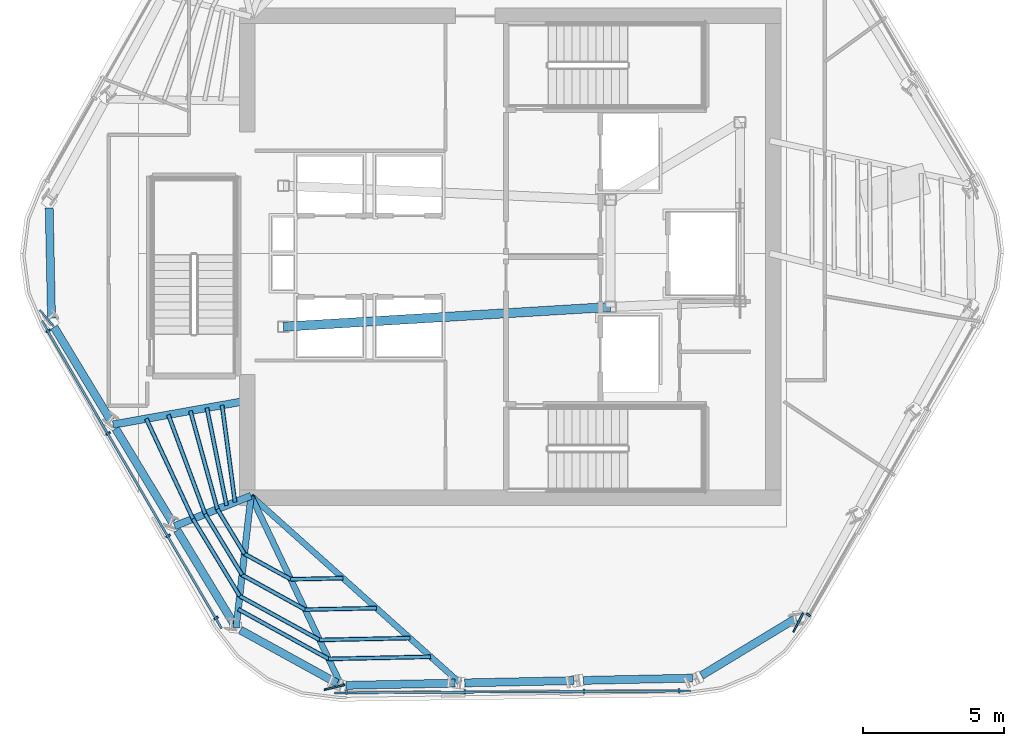
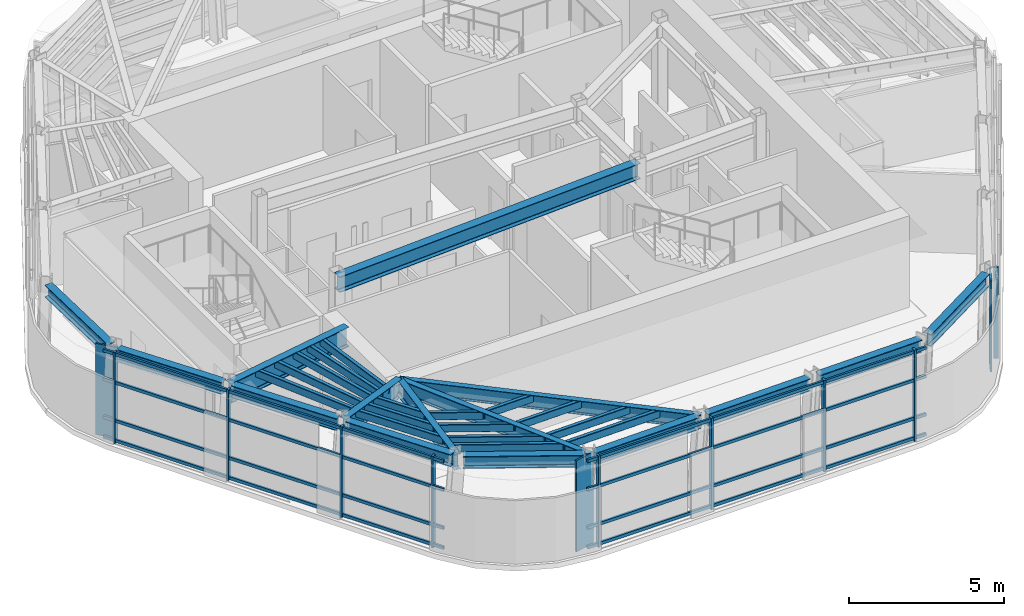
# One storey, part 2 of 13: 36 members, 15 beams, 3 elements without a shape of their own.
"""IFC4 building model written with IfcOpenShell, lengths in metres."""

from ifc_helpers import new_model, si_unit, direction, frame, origin, origin_2d, place, context, subcontext, project, spatial, rectangle, hollow_rectangle, i_section, extrude, material, layer, layer_set, material_profile, profile_set, type_object, element, aggregate, save


model = new_model("IFC4")

# Units and contexts
model_context = context("Model", 3, precision=1e-05, world=origin(), true_north=direction((0.0, 1.0)))
body_context = subcontext(model_context, "Body", "Model", "MODEL_VIEW")
ifc_project = project(units=[si_unit("LENGTHUNIT", "METRE"), si_unit("AREAUNIT", "SQUARE_METRE"), si_unit("VOLUMEUNIT", "CUBIC_METRE"), si_unit("PLANEANGLEUNIT", "RADIAN"), si_unit("MASSUNIT", "GRAM", prefix="KILO")], contexts=[model_context])

# Site, building, storey
site_placement = place(None, origin())
site = spatial("IfcSite", under=ifc_project, at=site_placement, CompositionType="ELEMENT")
building_placement = place(site_placement, origin())
building = spatial("IfcBuilding", under=site, at=building_placement, Name="Valkerne Bourse Tower", CompositionType="ELEMENT")
storey_placement = place(building_placement, frame((0.0, 0.0, 285.0)))
storey = spatial("IfcBuildingStorey", under=building, at=storey_placement, Name="L72", CompositionType="ELEMENT", Elevation=285.0)

# Beams
ifc_material_1 = material(Name="Steel ASTM A992", Category="steel")
ifc_material_profile_1 = material_profile(ifc_material_1, i_section(OverallWidth=0.284423828125, OverallDepth=0.47509765625, WebThickness=0.014892578125, FlangeThickness=0.02392578125, FilletRadius=0.017822265625, at=origin_2d()), Name="W18X106")
ifc_profile_set_1 = profile_set([ifc_material_profile_1], Name="Steel ASTM A992")
beam_type_1 = type_object("IfcBeamType", Name="BM-W18X106", PredefinedType="BEAM", material=ifc_profile_set_1)
beam_1_placement = place(storey_placement, frame((30.441162109375, 28.615478515625, 3.362548828125), z_axis=(0.020887241388, -0.999781837776, 0.0), x_axis=(0.999781837776, 0.020887241388, 0.0)))
element("IfcBeam", 1, at=beam_1_placement, inside=storey, type_object=beam_type_1, Name="L72 Hexagonal Spandrel Ring Beam 07", PredefinedType="BEAM", context=body_context, shape_type="SweptSolid", body=[
    extrude(i_section(OverallWidth=0.284423828125, OverallDepth=0.47509765625, WebThickness=0.014892578125, FlangeThickness=0.02392578125, FilletRadius=0.017822265625, at=origin_2d()), origin(), (0.0, 0.0, 1.0), 3.91552734375),
])
for number, where, z_axis, x_axis, name in (
    (2, (30.61474609375, 24.385498046875, 3.362548828125), (0.518033392364, -0.855360394451, 0.0), (0.855360394451, 0.518033392364, 0.0), "L72 Hexagonal Spandrel Ring Beam 08"),
    (3, (32.796630859375, 20.78271484375, 3.362548828125), (0.518033392364, -0.855360394451, 0.0), (0.855360394451, 0.518033392364, 0.0), "L72 Hexagonal Spandrel Ring Beam 09"),
):
    element("IfcBeam", number, at=place(storey_placement, frame(where, z_axis=z_axis, x_axis=x_axis)), inside=storey, type_object=beam_type_1, Name=name, PredefinedType="BEAM", context=body_context, shape_type="SweptSolid", body=[
        extrude(i_section(OverallWidth=0.284423828125, OverallDepth=0.47509765625, WebThickness=0.014892578125, FlangeThickness=0.02392578125, FilletRadius=0.017822265625, at=origin_2d()), origin(), (0.0, 0.0, 1.0), 3.8720703125),
    ])
beam_2_placement = place(storey_placement, frame((34.978515625, 17.1796875, 3.362548828125), z_axis=(0.518061332167, -0.855343472596, 0.0), x_axis=(0.855343472596, 0.518061332167, 0.0)))
element("IfcBeam", 4, at=beam_2_placement, inside=storey, type_object=beam_type_1, Name="L72 Hexagonal Spandrel Ring Beam 10", PredefinedType="BEAM", context=body_context, shape_type="SweptSolid", body=[
    extrude(i_section(OverallWidth=0.284423828125, OverallDepth=0.47509765625, WebThickness=0.014892578125, FlangeThickness=0.02392578125, FilletRadius=0.017822265625, at=origin_2d()), origin(), (0.0, 0.0, 1.0), 3.871826171875),
])
beam_3_placement = place(storey_placement, frame((37.221435546875, 13.640380859375, 3.362548828125), z_axis=(0.876313310328, -0.481741613462, 0.0), x_axis=(0.481741613462, 0.876313310328, 0.0)))
element("IfcBeam", 5, at=beam_3_placement, inside=storey, type_object=beam_type_1, Name="L72 Hexagonal Spandrel Ring Beam 11", PredefinedType="BEAM", context=body_context, shape_type="SweptSolid", body=[
    extrude(i_section(OverallWidth=0.284423828125, OverallDepth=0.47509765625, WebThickness=0.014892578125, FlangeThickness=0.02392578125, FilletRadius=0.017822265625, at=origin_2d()), origin(), (0.0, 0.0, 1.0), 3.91552734375),
])
beam_4_placement = place(storey_placement, frame((40.9716796875, 11.67578125, 3.362548828125), z_axis=(0.999780862792, 0.020933857622, 0.0), x_axis=(-0.020933857622, 0.999780862792, 0.0)))
element("IfcBeam", 6, at=beam_4_placement, inside=storey, type_object=beam_type_1, Name="L72 Hexagonal Spandrel Ring Beam 12", PredefinedType="BEAM", context=body_context, shape_type="SweptSolid", body=[
    extrude(i_section(OverallWidth=0.284423828125, OverallDepth=0.47509765625, WebThickness=0.014892578125, FlangeThickness=0.02392578125, FilletRadius=0.017822265625, at=origin_2d()), origin(), (0.0, 0.0, 1.0), 3.871826171875),
])
beam_5_placement = place(storey_placement, frame((45.182861328125, 11.76416015625, 3.362548828125), z_axis=(0.999780835158, 0.020935177374, 0.0), x_axis=(-0.020935177374, 0.999780835158, 0.0)))
element("IfcBeam", 7, at=beam_5_placement, inside=storey, type_object=beam_type_1, Name="L72 Hexagonal Spandrel Ring Beam 13", PredefinedType="BEAM", context=body_context, shape_type="SweptSolid", body=[
    extrude(i_section(OverallWidth=0.284423828125, OverallDepth=0.47509765625, WebThickness=0.014892578125, FlangeThickness=0.02392578125, FilletRadius=0.017822265625, at=origin_2d()), origin(), (0.0, 0.0, 1.0), 3.87158203125),
])
beam_6_placement = place(storey_placement, frame((49.393798828125, 11.852294921875, 3.362548828125), z_axis=(0.999780862792, 0.020933857622, 0.0), x_axis=(-0.020933857622, 0.999780862792, 0.0)))
element("IfcBeam", 8, at=beam_6_placement, inside=storey, type_object=beam_type_1, Name="L72 Hexagonal Spandrel Ring Beam 14", PredefinedType="BEAM", context=body_context, shape_type="SweptSolid", body=[
    extrude(i_section(OverallWidth=0.284423828125, OverallDepth=0.47509765625, WebThickness=0.014892578125, FlangeThickness=0.02392578125, FilletRadius=0.017822265625, at=origin_2d()), origin(), (0.0, 0.0, 1.0), 3.871826171875),
])
beam_7_placement = place(storey_placement, frame((53.580322265625, 12.02490234375, 3.362548828125), z_axis=(0.855378673822, 0.518003208842, 0.0), x_axis=(-0.518003208842, 0.855378673822, 0.0)))
element("IfcBeam", 9, at=beam_7_placement, inside=storey, type_object=beam_type_1, Name="L72 Hexagonal Spandrel Ring Beam 15", PredefinedType="BEAM", context=body_context, shape_type="SweptSolid", body=[
    extrude(i_section(OverallWidth=0.284423828125, OverallDepth=0.47509765625, WebThickness=0.014892578125, FlangeThickness=0.02392578125, FilletRadius=0.017822265625, at=origin_2d()), origin(), (0.0, 0.0, 1.0), 3.915771484375),
])
ifc_material_profile_2 = material_profile(ifc_material_1, i_section(OverallWidth=0.209228515625, OverallDepth=0.533447265625, WebThickness=0.01025390625, FlangeThickness=0.015625, FilletRadius=0.017822265625, at=origin_2d()), Name="W21X62")
ifc_profile_set_2 = profile_set([ifc_material_profile_2], Name="Steel ASTM A992")
beam_type_2 = type_object("IfcBeamType", Name="BM-W21X62", PredefinedType="JOIST", material=ifc_profile_set_2)
beam_8_placement = place(storey_placement, frame((45.0126953125, 11.760498046875, 3.333251953125), z_axis=(-0.744887661434, 0.66718990688, 0.0), x_axis=(-0.66718990688, -0.744887661434, 0.0)))
element("IfcBeam", 10, at=beam_8_placement, inside=storey, type_object=beam_type_2, Name="L72 Radial Composite Floor Beam 13", PredefinedType="JOIST", context=body_context, shape_type="SweptSolid", body=[
    extrude(i_section(OverallWidth=0.209228515625, OverallDepth=0.533447265625, WebThickness=0.01025390625, FlangeThickness=0.015625, FilletRadius=0.017822265625, at=origin_2d()), origin(), (0.0, 0.0, 1.0), 9.951416015625),
])
ifc_material_profile_3 = material_profile(ifc_material_1, i_section(OverallWidth=0.2138671875, OverallDepth=0.548583984375, WebThickness=0.0146484375, FlangeThickness=0.023681640625, FilletRadius=0.017822265625, at=origin_2d()), Name="W21X93")
ifc_profile_set_3 = profile_set([ifc_material_profile_3], Name="Steel ASTM A992")
beam_type_3 = type_object("IfcBeamType", Name="BM-W21X93", PredefinedType="BEAM", material=ifc_profile_set_3)
beam_9_placement = place(storey_placement, frame((40.8017578125, 11.67236328125, 3.32568359375), z_axis=(-0.429722422589, 0.902961039871, 0.0), x_axis=(-0.902961039871, -0.429722422589, 0.0)))
element("IfcBeam", 11, at=beam_9_placement, inside=storey, type_object=beam_type_3, Name="L72 Radial Composite Floor Beam 12", PredefinedType="BEAM", context=body_context, shape_type="SweptSolid", body=[
    extrude(i_section(OverallWidth=0.2138671875, OverallDepth=0.548583984375, WebThickness=0.0146484375, FlangeThickness=0.023681640625, FilletRadius=0.017822265625, at=origin_2d()), origin(), (0.0, 0.0, 1.0), 7.450439453125),
])
ifc_material_profile_4 = material_profile(ifc_material_1, i_section(OverallWidth=0.3251953125, OverallDepth=0.612060546875, WebThickness=0.0126953125, FlangeThickness=0.01904296875, FilletRadius=0.020263671875, at=origin_2d()), Name="W24X104")
ifc_profile_set_4 = profile_set([ifc_material_profile_4], Name="Steel ASTM A992")
beam_type_4 = type_object("IfcBeamType", Name="BM-W24X104", PredefinedType="BEAM", material=ifc_profile_set_4)
beam_10_placement = place(storey_placement, frame((38.75, 24.39990234375, 3.2939453125), z_axis=(0.998183228389, 0.060251494276, 0.0), x_axis=(-0.060251494276, 0.998183228389, 0.0)))
element("IfcBeam", 12, at=beam_10_placement, inside=storey, type_object=beam_type_4, Name="L72 Core Frame Girder CG-SW", PredefinedType="BEAM", context=body_context, shape_type="SweptSolid", body=[
    extrude(i_section(OverallWidth=0.3251953125, OverallDepth=0.612060546875, WebThickness=0.0126953125, FlangeThickness=0.01904296875, FilletRadius=0.020263671875, at=origin_2d()), origin(), (0.0, 0.0, 1.0), 11.62109375),
])
ifc_material_profile_5 = material_profile(ifc_material_1, i_section(OverallWidth=0.228271484375, OverallDepth=0.607177734375, WebThickness=0.01123046875, FlangeThickness=0.017333984375, FilletRadius=0.017822265625, at=origin_2d()), Name="W24X76")
ifc_profile_set_5 = profile_set([ifc_material_profile_5], Name="Steel ASTM A992")
beam_type_5 = type_object("IfcBeamType", Name="BM-W24X76", PredefinedType="JOIST", material=ifc_profile_set_5)
beam_11_placement = place(storey_placement, frame((37.072509765625, 13.722412109375, 3.29638671875), z_axis=(0.112082227644, 0.993698935416, 0.0), x_axis=(-0.993698935416, 0.112082227644, 0.0)))
element("IfcBeam", 13, at=beam_11_placement, inside=storey, type_object=beam_type_5, Name="L72 Radial Composite Floor Beam 11", PredefinedType="JOIST", context=body_context, shape_type="SweptSolid", body=[
    extrude(i_section(OverallWidth=0.228271484375, OverallDepth=0.607177734375, WebThickness=0.01123046875, FlangeThickness=0.017333984375, FilletRadius=0.017822265625, at=origin_2d()), origin(), (0.0, 0.0, 1.0), 4.70703125),
])
ifc_material_profile_6 = material_profile(ifc_material_1, i_section(OverallWidth=0.255859375, OverallDepth=0.693359375, WebThickness=0.014404296875, FlangeThickness=0.023681640625, FilletRadius=0.02294921875, at=origin_2d()), Name="W27X114")
ifc_profile_set_6 = profile_set([ifc_material_profile_6], Name="Steel ASTM A992")
beam_type_6 = type_object("IfcBeamType", Name="BM-W27X114", PredefinedType="BEAM", material=ifc_profile_set_6)
beam_12_placement = place(storey_placement, frame((34.890380859375, 17.3251953125, 3.25341796875), z_axis=(0.929558604553, 0.368674383029, 0.0), x_axis=(-0.368674383029, 0.929558604553, 0.0)))
element("IfcBeam", 14, at=beam_12_placement, inside=storey, type_object=beam_type_6, Name="L72 Radial Composite Floor Beam 10", PredefinedType="BEAM", context=body_context, shape_type="SweptSolid", body=[
    extrude(i_section(OverallWidth=0.255859375, OverallDepth=0.693359375, WebThickness=0.014404296875, FlangeThickness=0.023681640625, FilletRadius=0.02294921875, at=origin_2d()), origin(), (0.0, 0.0, 1.0), 2.9150390625),
])
ifc_material_profile_7 = material_profile(ifc_material_1, i_section(OverallWidth=0.26806640625, OverallDepth=0.76953125, WebThickness=0.015625, FlangeThickness=0.025390625, FilletRadius=0.025390625, at=origin_2d()), Name="W30X132")
ifc_profile_set_7 = profile_set([ifc_material_profile_7], Name="Steel ASTM A992")
beam_type_7 = type_object("IfcBeamType", Name="BM-W30X132", PredefinedType="BEAM", material=ifc_profile_set_7)
beam_13_placement = place(storey_placement, frame((32.70849609375, 20.927978515625, 3.215087890625), z_axis=(0.98447733952, 0.175511731721, 0.0), x_axis=(-0.175511731721, 0.98447733952, 0.0)))
element("IfcBeam", 15, at=beam_13_placement, inside=storey, type_object=beam_type_7, Name="L72 Radial Composite Floor Beam 09", PredefinedType="BEAM", context=body_context, shape_type="SweptSolid", body=[
    extrude(i_section(OverallWidth=0.26806640625, OverallDepth=0.76953125, WebThickness=0.015625, FlangeThickness=0.025390625, FilletRadius=0.025390625, at=origin_2d()), origin(), (0.0, 0.0, 1.0), 4.96875),
])

# Curtain wall, members
ifc_material_2 = material(Name="Aluminium AA 6063-T6", Category="aluminium")
ifc_layer = layer(ifc_material_2, 0.2451171875)
ifc_layer_set = layer_set([ifc_layer], Name="Aluminium AA 6063-T6")
curtain_wall_type = type_object("IfcCurtainWallType", Name="CW-05", PredefinedType="NOTDEFINED", material=ifc_layer_set)
curtain_wall_1_placement = place(storey_placement, origin())
curtain_wall_1 = element("IfcCurtainWall", 16, at=curtain_wall_1_placement, inside=storey, type_object=curtain_wall_type, Name="L72 Hexagonal Stick Curtain Wall Face 3", PredefinedType="NOTDEFINED")
ifc_material_profile_8 = material_profile(ifc_material_2, rectangle(XDim=0.074951171875, YDim=0.159912109375, at=origin_2d()), Name="CWM-75X160")
ifc_profile_set_8 = profile_set([ifc_material_profile_8], Name="Aluminium AA 6063-T6")
member_type_1 = type_object("IfcMemberType", Name="CW-MUL-160X75", PredefinedType="MULLION", material=ifc_profile_set_8)
member_1_placement = place(storey_placement, frame((30.408203125, 24.25244140625, 0.0), z_axis=(0.0, 0.0, 1.0), x_axis=(0.504517454009, -0.863401493281, 0.0)))
member_1 = element("IfcMember", 17, at=member_1_placement, type_object=member_type_1, Name="CW-L72-F3 Jamb Mullion 00A", PredefinedType="MULLION", context=body_context, shape_type="SweptSolid", body=[
    extrude(rectangle(XDim=0.074951171875, YDim=0.159912109375, at=origin_2d()), origin(), (0.0, 0.0, 1.0), 3.60009765625),
])
member_2_placement = place(storey_placement, frame((32.533203125, 20.615966796875, 0.0), z_axis=(0.0, 0.0, 1.0), x_axis=(0.504535152451, -0.863391151183, 0.0)))
member_2 = element("IfcMember", 18, at=member_2_placement, type_object=member_type_1, Name="CW-L72-F3 Jamb Mullion 01A", PredefinedType="MULLION", context=body_context, shape_type="SweptSolid", body=[
    extrude(rectangle(XDim=0.074951171875, YDim=0.159912109375, at=origin_2d()), origin(), (0.0, 0.0, 1.0), 3.60009765625),
])
member_3_placement = place(storey_placement, frame((34.658447265625, 16.979248046875, 0.0), z_axis=(0.0, 0.0, 1.0), x_axis=(0.504535152451, -0.863391151183, 0.0)))
member_3 = element("IfcMember", 19, at=member_3_placement, type_object=member_type_1, Name="CW-L72-F3 Jamb Mullion 02A", PredefinedType="MULLION", context=body_context, shape_type="SweptSolid", body=[
    extrude(rectangle(XDim=0.074951171875, YDim=0.159912109375, at=origin_2d()), origin(), (0.0, 0.0, 1.0), 3.60009765625),
])
member_4_placement = place(storey_placement, frame((36.359619140625, 14.068115234375, 0.0), z_axis=(0.0, 0.0, 1.0), x_axis=(0.504535152451, -0.863391151183, 0.0)))
member_4 = element("IfcMember", 20, at=member_4_placement, type_object=member_type_1, Name="CW-L72-F3 Jamb Mullion 02B", PredefinedType="MULLION", context=body_context, shape_type="SweptSolid", body=[
    extrude(rectangle(XDim=0.074951171875, YDim=0.159912109375, at=origin_2d()), origin(), (0.0, 0.0, 1.0), 3.60009765625),
])

curtain_wall_2_placement = place(storey_placement, origin())
curtain_wall_2 = element("IfcCurtainWall", 21, at=curtain_wall_2_placement, inside=storey, type_object=curtain_wall_type, Name="L72 Hexagonal Stick Curtain Wall Face 4", PredefinedType="NOTDEFINED")
member_5_placement = place(storey_placement, frame((40.9833984375, 11.4306640625, 0.0), z_axis=(0.0, 0.0, 1.0), x_axis=(0.999986358869, 0.005223224655, 0.0)))
member_5 = element("IfcMember", 22, at=member_5_placement, type_object=member_type_1, Name="CW-L72-F4 Jamb Mullion 00A", PredefinedType="MULLION", context=body_context, shape_type="SweptSolid", body=[
    extrude(rectangle(XDim=0.074951171875, YDim=0.159912109375, at=origin_2d()), origin(), (0.0, 0.0, 1.0), 3.60009765625),
])
member_6_placement = place(storey_placement, frame((45.1953125, 11.45263671875, 0.0), z_axis=(0.0, 0.0, 1.0), x_axis=(0.999986235233, 0.005246841359, 0.0)))
member_6 = element("IfcMember", 23, at=member_6_placement, type_object=member_type_1, Name="CW-L72-F4 Jamb Mullion 01A", PredefinedType="MULLION", context=body_context, shape_type="SweptSolid", body=[
    extrude(rectangle(XDim=0.074951171875, YDim=0.159912109375, at=origin_2d()), origin(), (0.0, 0.0, 1.0), 3.60009765625),
])
member_7_placement = place(storey_placement, frame((49.407470703125, 11.474609375, 0.0), z_axis=(0.0, 0.0, 1.0), x_axis=(0.999986358869, 0.005223224655, 0.0)))
member_7 = element("IfcMember", 24, at=member_7_placement, type_object=member_type_1, Name="CW-L72-F4 Jamb Mullion 02A", PredefinedType="MULLION", context=body_context, shape_type="SweptSolid", body=[
    extrude(rectangle(XDim=0.074951171875, YDim=0.159912109375, at=origin_2d()), origin(), (0.0, 0.0, 1.0), 3.60009765625),
])
member_8_placement = place(storey_placement, frame((52.779296875, 11.4921875, 0.0), z_axis=(0.0, 0.0, 1.0), x_axis=(0.999986358869, 0.005223224655, 0.0)))
member_8 = element("IfcMember", 25, at=member_8_placement, type_object=member_type_1, Name="CW-L72-F4 Jamb Mullion 02B", PredefinedType="MULLION", context=body_context, shape_type="SweptSolid", body=[
    extrude(rectangle(XDim=0.074951171875, YDim=0.159912109375, at=origin_2d()), origin(), (0.0, 0.0, 1.0), 3.60009765625),
])

# Curtain wall, member
curtain_wall_3_placement = place(storey_placement, origin())
curtain_wall_3 = element("IfcCurtainWall", 26, at=curtain_wall_3_placement, inside=storey, type_object=curtain_wall_type, Name="L72 Hexagonal Stick Curtain Wall Face 5", PredefinedType="NOTDEFINED")
member_9_placement = place(storey_placement, frame((57.375244140625, 14.177978515625, 0.0), z_axis=(0.0, 0.0, 1.0), x_axis=(0.495461241573, 0.86863004674, 0.0)))
member_9 = element("IfcMember", 27, at=member_9_placement, type_object=member_type_1, Name="CW-L72-F5 Jamb Mullion 00A", PredefinedType="MULLION", context=body_context, shape_type="SweptSolid", body=[
    extrude(rectangle(XDim=0.074951171875, YDim=0.159912109375, at=origin_2d()), origin(), (0.0, 0.0, 1.0), 3.60009765625),
])
aggregate(curtain_wall_3, [member_9])

# Member
ifc_material_profile_9 = material_profile(ifc_material_2, rectangle(XDim=0.074951171875, YDim=0.1201171875, at=origin_2d()), Name="CWT-75X120")
ifc_profile_set_9 = profile_set([ifc_material_profile_9], Name="Aluminium AA 6063-T6")
member_type_2 = type_object("IfcMemberType", Name="CW-TRN-120X75", PredefinedType="USERDEFINED", material=ifc_profile_set_9)
member_10_placement = place(storey_placement, frame((30.17919921875, 24.60498046875, 0.1201171875), z_axis=(0.504522005613, -0.863398833594, 0.0), x_axis=(0.863398833594, 0.504522005613, 0.0)))
member_10 = element("IfcMember", 28, at=member_10_placement, type_object=member_type_2, Name="CW-L72-F3 Continuous Face Transom 1", ObjectType="TRANSOM", PredefinedType="USERDEFINED", context=body_context, shape_type="SweptSolid", body=[
    extrude(rectangle(XDim=0.074951171875, YDim=0.1201171875, at=origin_2d()), origin(), (0.0, 0.0, 1.0), 12.6357421875),
])

member_11_placement = place(storey_placement, frame((30.17919921875, 24.60498046875, 0.89990234375), z_axis=(0.504522005613, -0.863398833594, 0.0), x_axis=(0.863398833594, 0.504522005613, 0.0)))
member_11 = element("IfcMember", 29, at=member_11_placement, type_object=member_type_2, Name="CW-L72-F3 Continuous Face Transom 2", ObjectType="TRANSOM", PredefinedType="USERDEFINED", context=body_context, shape_type="SweptSolid", body=[
    extrude(rectangle(XDim=0.074951171875, YDim=0.1201171875, at=origin_2d()), origin(), (0.0, 0.0, 1.0), 12.6357421875),
])

member_12_placement = place(storey_placement, frame((30.17919921875, 24.60498046875, 2.39990234375), z_axis=(0.504522005613, -0.863398833594, 0.0), x_axis=(0.863398833594, 0.504522005613, 0.0)))
member_12 = element("IfcMember", 30, at=member_12_placement, type_object=member_type_2, Name="CW-L72-F3 Continuous Face Transom 3", ObjectType="TRANSOM", PredefinedType="USERDEFINED", context=body_context, shape_type="SweptSolid", body=[
    extrude(rectangle(XDim=0.074951171875, YDim=0.1201171875, at=origin_2d()), origin(), (0.0, 0.0, 1.0), 12.6357421875),
])

member_13_placement = place(storey_placement, frame((30.17919921875, 24.60498046875, 3.52001953125), z_axis=(0.504522005613, -0.863398833594, 0.0), x_axis=(0.863398833594, 0.504522005613, 0.0)))
member_13 = element("IfcMember", 31, at=member_13_placement, type_object=member_type_2, Name="CW-L72-F3 Continuous Face Transom 4", ObjectType="TRANSOM", PredefinedType="USERDEFINED", context=body_context, shape_type="SweptSolid", body=[
    extrude(rectangle(XDim=0.074951171875, YDim=0.1201171875, at=origin_2d()), origin(), (0.0, 0.0, 1.0), 12.6357421875),
])

aggregate(curtain_wall_1, [member_10, member_11, member_12, member_13, member_1, member_2, member_3, member_4])

member_14_placement = place(storey_placement, frame((40.563720703125, 11.408447265625, 0.1201171875), z_axis=(0.999986291869, 0.005236036114, 0.0), x_axis=(-0.005236036114, 0.999986291869, 0.0)))
member_14 = element("IfcMember", 32, at=member_14_placement, type_object=member_type_2, Name="CW-L72-F4 Continuous Face Transom 1", ObjectType="TRANSOM", PredefinedType="USERDEFINED", context=body_context, shape_type="SweptSolid", body=[
    extrude(rectangle(XDim=0.074951171875, YDim=0.1201171875, at=origin_2d()), origin(), (0.0, 0.0, 1.0), 12.635986328125),
])

member_15_placement = place(storey_placement, frame((40.563720703125, 11.408447265625, 0.89990234375), z_axis=(0.999986291869, 0.005236036114, 0.0), x_axis=(-0.005236036114, 0.999986291869, 0.0)))
member_15 = element("IfcMember", 33, at=member_15_placement, type_object=member_type_2, Name="CW-L72-F4 Continuous Face Transom 2", ObjectType="TRANSOM", PredefinedType="USERDEFINED", context=body_context, shape_type="SweptSolid", body=[
    extrude(rectangle(XDim=0.074951171875, YDim=0.1201171875, at=origin_2d()), origin(), (0.0, 0.0, 1.0), 12.635986328125),
])

member_16_placement = place(storey_placement, frame((40.563720703125, 11.408447265625, 2.39990234375), z_axis=(0.999986291869, 0.005236036114, 0.0), x_axis=(-0.005236036114, 0.999986291869, 0.0)))
member_16 = element("IfcMember", 34, at=member_16_placement, type_object=member_type_2, Name="CW-L72-F4 Continuous Face Transom 3", ObjectType="TRANSOM", PredefinedType="USERDEFINED", context=body_context, shape_type="SweptSolid", body=[
    extrude(rectangle(XDim=0.074951171875, YDim=0.1201171875, at=origin_2d()), origin(), (0.0, 0.0, 1.0), 12.635986328125),
])

member_17_placement = place(storey_placement, frame((40.563720703125, 11.408447265625, 3.52001953125), z_axis=(0.999986291869, 0.005236036114, 0.0), x_axis=(-0.005236036114, 0.999986291869, 0.0)))
member_17 = element("IfcMember", 35, at=member_17_placement, type_object=member_type_2, Name="CW-L72-F4 Continuous Face Transom 4", ObjectType="TRANSOM", PredefinedType="USERDEFINED", context=body_context, shape_type="SweptSolid", body=[
    extrude(rectangle(XDim=0.074951171875, YDim=0.1201171875, at=origin_2d()), origin(), (0.0, 0.0, 1.0), 12.635986328125),
])

aggregate(curtain_wall_2, [member_14, member_15, member_16, member_17, member_5, member_6, member_7, member_8])

# Members
ifc_material_3 = material(Name="Bronze Anodised Aluminium AA 6063-T6", Category="aluminium")
ifc_material_profile_10 = material_profile(ifc_material_3, rectangle(XDim=0.06494140625, YDim=0.75, at=origin_2d()), Name="FIN-65X750")
ifc_profile_set_10 = profile_set([ifc_material_profile_10], Name="Bronze Anodised Aluminium AA 6063-T6")
member_type_3 = type_object("IfcMemberType", Name="FIN-SOLAR-650", PredefinedType="USERDEFINED", material=ifc_profile_set_10)
for number, where, z_axis, x_axis, name in (
    (36, (30.351806640625, 24.7060546875, 0.00390625), (0.0, 0.0, 1.0), (-0.757540489589, -0.652788178993, 0.0), "L72 Bronze Anodised Solar Fin F3-00"),
    (37, (40.5625, 11.6083984375, 0.00390625), (0.0, 0.0, 1.0), (0.234994232077, -0.971996764856, 0.0), "L72 Bronze Anodised Solar Fin F4-00"),
    (38, (57.0107421875, 13.90234375, 0.00390625), (0.0, 0.0, 1.0), (0.892104441875, -0.451829242952, 0.0), "L72 Bronze Anodised Solar Fin F5-00"),
):
    element("IfcMember", number, at=place(storey_placement, frame(where, z_axis=z_axis, x_axis=x_axis)), inside=storey, type_object=member_type_3, Name=name, ObjectType="SOLAR_FIN", PredefinedType="USERDEFINED", context=body_context, shape_type="SweptSolid", body=[
        extrude(rectangle(XDim=0.06494140625, YDim=0.75, at=origin_2d()), origin(), (0.0, 0.0, 1.0), 3.592041015625),
    ])
ifc_material_4 = material(Name="Steel ASTM A500 Grade C", Category="steel")
ifc_material_profile_11 = material_profile(ifc_material_4, hollow_rectangle(XDim=0.14990234375, YDim=0.300048828125, WallThickness=0.012451171875, OuterFilletRadius=0.02490234375, at=origin_2d()), Name="HSS300X150X12.5")
ifc_profile_set_11 = profile_set([ifc_material_profile_11], Name="Steel ASTM A500 Grade C")
member_type_4 = type_object("IfcMemberType", Name="MBR-HSS300X150X12.5", PredefinedType="PURLIN", material=ifc_profile_set_11)
member_18_placement = place(storey_placement, frame((36.034912109375, 21.52099609375, 3.43994140625), z_axis=(0.197484151757, -0.980306079653, 0.0), x_axis=(0.980306079653, 0.197484151757, 0.0)))
element("IfcMember", 39, at=member_18_placement, inside=storey, type_object=member_type_4, Name="L72 Secondary Composite Floor Purlin I-09", PredefinedType="PURLIN", context=body_context, shape_type="SweptSolid", body=[
    extrude(hollow_rectangle(XDim=0.14990234375, YDim=0.300048828125, WallThickness=0.012451171875, OuterFilletRadius=0.02490234375, at=origin_2d()), origin(), (0.0, 0.0, 1.0), 3.534423828125),
])
member_19_placement = place(storey_placement, frame((35.44775390625, 21.416259765625, 3.43994140625), z_axis=(0.265263104516, -0.964176065551, 0.0), x_axis=(0.964176065551, 0.265263104516, 0.0)))
element("IfcMember", 40, at=member_19_placement, inside=storey, type_object=member_type_4, Name="L72 Secondary Composite Floor Purlin K-09", PredefinedType="PURLIN", context=body_context, shape_type="SweptSolid", body=[
    extrude(hollow_rectangle(XDim=0.14990234375, YDim=0.300048828125, WallThickness=0.012451171875, OuterFilletRadius=0.02490234375, at=origin_2d()), origin(), (0.0, 0.0, 1.0), 3.618896484375),
])
member_20_placement = place(storey_placement, frame((36.40771484375, 17.927001953125, 3.43994140625), z_axis=(0.518094418407, -0.855323432168, 0.0), x_axis=(0.855323432168, 0.518094418407, 0.0)))
element("IfcMember", 41, at=member_20_placement, inside=storey, type_object=member_type_4, Name="L72 Secondary Composite Floor Purlin K-10", PredefinedType="PURLIN", context=body_context, shape_type="SweptSolid", body=[
    extrude(hollow_rectangle(XDim=0.14990234375, YDim=0.300048828125, WallThickness=0.012451171875, OuterFilletRadius=0.02490234375, at=origin_2d()), origin(), (0.0, 0.0, 1.0), 1.853271484375),
])
member_21_placement = place(storey_placement, frame((37.367919921875, 16.341796875, 3.43994140625), z_axis=(0.876301231706, -0.481763584459, 0.0), x_axis=(0.481763584459, 0.876301231706, 0.0)))
element("IfcMember", 42, at=member_21_placement, inside=storey, type_object=member_type_4, Name="L72 Secondary Composite Floor Purlin K-11", PredefinedType="PURLIN", context=body_context, shape_type="SweptSolid", body=[
    extrude(hollow_rectangle(XDim=0.14990234375, YDim=0.300048828125, WallThickness=0.012451171875, OuterFilletRadius=0.02490234375, at=origin_2d()), origin(), (0.0, 0.0, 1.0), 1.87255859375),
])
member_22_placement = place(storey_placement, frame((39.0087890625, 15.439697265625, 3.43994140625), z_axis=(0.999780592132, 0.020946780096, 0.0), x_axis=(-0.020946780096, 0.999780592132, 0.0)))
element("IfcMember", 43, at=member_22_placement, inside=storey, type_object=member_type_4, Name="L72 Secondary Composite Floor Purlin K-12", PredefinedType="PURLIN", context=body_context, shape_type="SweptSolid", body=[
    extrude(hollow_rectangle(XDim=0.14990234375, YDim=0.300048828125, WallThickness=0.012451171875, OuterFilletRadius=0.02490234375, at=origin_2d()), origin(), (0.0, 0.0, 1.0), 1.853271484375),
])
member_23_placement = place(storey_placement, frame((33.882568359375, 21.13720703125, 3.43994140625), z_axis=(0.422820712298, -0.90621335526, 0.0), x_axis=(0.90621335526, 0.422820712298, 0.0)))
element("IfcMember", 44, at=member_23_placement, inside=storey, type_object=member_type_4, Name="L72 Secondary Composite Floor Purlin O-09", PredefinedType="PURLIN", context=body_context, shape_type="SweptSolid", body=[
    extrude(hollow_rectangle(XDim=0.14990234375, YDim=0.300048828125, WallThickness=0.012451171875, OuterFilletRadius=0.02490234375, at=origin_2d()), origin(), (0.0, 0.0, 1.0), 3.921875),
])
member_24_placement = place(storey_placement, frame((35.540771484375, 17.583251953125, 3.43994140625), z_axis=(0.517990681144, -0.855386260264, 0.0), x_axis=(0.855386260264, 0.517990681144, 0.0)))
element("IfcMember", 45, at=member_24_placement, inside=storey, type_object=member_type_4, Name="L72 Secondary Composite Floor Purlin O-10", PredefinedType="PURLIN", context=body_context, shape_type="SweptSolid", body=[
    extrude(hollow_rectangle(XDim=0.14990234375, YDim=0.300048828125, WallThickness=0.012451171875, OuterFilletRadius=0.02490234375, at=origin_2d()), origin(), (0.0, 0.0, 1.0), 3.201171875),
])
member_25_placement = place(storey_placement, frame((37.198974609375, 14.844970703125, 3.43994140625), z_axis=(0.876309922746, -0.481747775602, 0.0), x_axis=(0.481747775602, 0.876309922746, 0.0)))
element("IfcMember", 46, at=member_25_placement, inside=storey, type_object=member_type_4, Name="L72 Secondary Composite Floor Purlin O-11", PredefinedType="PURLIN", context=body_context, shape_type="SweptSolid", body=[
    extrude(hollow_rectangle(XDim=0.14990234375, YDim=0.300048828125, WallThickness=0.012451171875, OuterFilletRadius=0.02490234375, at=origin_2d()), origin(), (0.0, 0.0, 1.0), 3.234375),
])
member_26_placement = place(storey_placement, frame((40.033203125, 13.286865234375, 3.43994140625), z_axis=(0.999780035319, 0.020973339668, 0.0), x_axis=(-0.020973339668, 0.999780035319, 0.0)))
element("IfcMember", 47, at=member_26_placement, inside=storey, type_object=member_type_4, Name="L72 Secondary Composite Floor Purlin O-12", PredefinedType="PURLIN", context=body_context, shape_type="SweptSolid", body=[
    extrude(hollow_rectangle(XDim=0.14990234375, YDim=0.300048828125, WallThickness=0.012451171875, OuterFilletRadius=0.02490234375, at=origin_2d()), origin(), (0.0, 0.0, 1.0), 3.201171875),
])
member_27_placement = place(storey_placement, frame((34.665283203125, 21.27685546875, 3.43994140625), z_axis=(0.348423085093, -0.937337374574, 0.0), x_axis=(0.937337374574, 0.348423085093, 0.0)))
element("IfcMember", 48, at=member_27_placement, inside=storey, type_object=member_type_4, Name="L72 Secondary Composite Floor Purlin Z-09", PredefinedType="PURLIN", context=body_context, shape_type="SweptSolid", body=[
    extrude(hollow_rectangle(XDim=0.14990234375, YDim=0.300048828125, WallThickness=0.012451171875, OuterFilletRadius=0.02490234375, at=origin_2d()), origin(), (0.0, 0.0, 1.0), 3.757080078125),
])
member_28_placement = place(storey_placement, frame((35.974365234375, 17.755126953125, 3.43994140625), z_axis=(0.51801478109, -0.855371665753, 0.0), x_axis=(0.855371665753, 0.51801478109, 0.0)))
element("IfcMember", 49, at=member_28_placement, inside=storey, type_object=member_type_4, Name="L72 Secondary Composite Floor Purlin Z-10", PredefinedType="PURLIN", context=body_context, shape_type="SweptSolid", body=[
    extrude(hollow_rectangle(XDim=0.14990234375, YDim=0.300048828125, WallThickness=0.012451171875, OuterFilletRadius=0.02490234375, at=origin_2d()), origin(), (0.0, 0.0, 1.0), 2.527099609375),
])
member_29_placement = place(storey_placement, frame((37.283447265625, 15.593505859375, 3.43994140625), z_axis=(0.876286553248, -0.481790282795, 0.0), x_axis=(0.481790282795, 0.876286553248, 0.0)))
element("IfcMember", 50, at=member_29_placement, inside=storey, type_object=member_type_4, Name="L72 Secondary Composite Floor Purlin Z-11", PredefinedType="PURLIN", context=body_context, shape_type="SweptSolid", body=[
    extrude(hollow_rectangle(XDim=0.14990234375, YDim=0.300048828125, WallThickness=0.012451171875, OuterFilletRadius=0.02490234375, at=origin_2d()), origin(), (0.0, 0.0, 1.0), 2.553466796875),
])
member_30_placement = place(storey_placement, frame((39.52099609375, 14.36328125, 3.43994140625), z_axis=(0.999780239559, 0.020963601506, 0.0), x_axis=(-0.020963601506, 0.999780239559, 0.0)))
element("IfcMember", 51, at=member_30_placement, inside=storey, type_object=member_type_4, Name="L72 Secondary Composite Floor Purlin Z-12", PredefinedType="PURLIN", context=body_context, shape_type="SweptSolid", body=[
    extrude(hollow_rectangle(XDim=0.14990234375, YDim=0.300048828125, WallThickness=0.012451171875, OuterFilletRadius=0.02490234375, at=origin_2d()), origin(), (0.0, 0.0, 1.0), 2.527099609375),
])
member_31_placement = place(storey_placement, frame((36.57275390625, 21.616943359375, 3.43994140625), z_axis=(0.131947300689, -0.991256732558, 0.0), x_axis=(0.991256732558, 0.131947300689, 0.0)))
element("IfcMember", 52, at=member_31_placement, inside=storey, type_object=member_type_4, Name="L72 Secondary Composite Floor Purlin S-09", PredefinedType="PURLIN", context=body_context, shape_type="SweptSolid", body=[
    extrude(hollow_rectangle(XDim=0.14990234375, YDim=0.300048828125, WallThickness=0.012451171875, OuterFilletRadius=0.02490234375, at=origin_2d()), origin(), (0.0, 0.0, 1.0), 3.472900390625),
])
member_32_placement = place(storey_placement, frame((37.146240234375, 14.377197265625, 3.43994140625), z_axis=(0.87633841245, -0.481695948565, 0.0), x_axis=(0.481695948565, 0.87633841245, 0.0)))
element("IfcMember", 53, at=member_32_placement, inside=storey, type_object=member_type_4, Name="L72 Secondary Composite Floor Purlin T-11", PredefinedType="PURLIN", context=body_context, shape_type="SweptSolid", body=[
    extrude(hollow_rectangle(XDim=0.14990234375, YDim=0.300048828125, WallThickness=0.012451171875, OuterFilletRadius=0.02490234375, at=origin_2d()), origin(), (0.0, 0.0, 1.0), 3.659912109375),
])
member_33_placement = place(storey_placement, frame((40.353515625, 12.6142578125, 3.43994140625), z_axis=(0.999781709608, 0.020893375352, 0.0), x_axis=(-0.020893375352, 0.999781709608, 0.0)))
element("IfcMember", 54, at=member_33_placement, inside=storey, type_object=member_type_4, Name="L72 Secondary Composite Floor Purlin T-12", PredefinedType="PURLIN", context=body_context, shape_type="SweptSolid", body=[
    extrude(hollow_rectangle(XDim=0.14990234375, YDim=0.300048828125, WallThickness=0.012451171875, OuterFilletRadius=0.02490234375, at=origin_2d()), origin(), (0.0, 0.0, 1.0), 3.622314453125),
])

save(model, "model.ifc")
